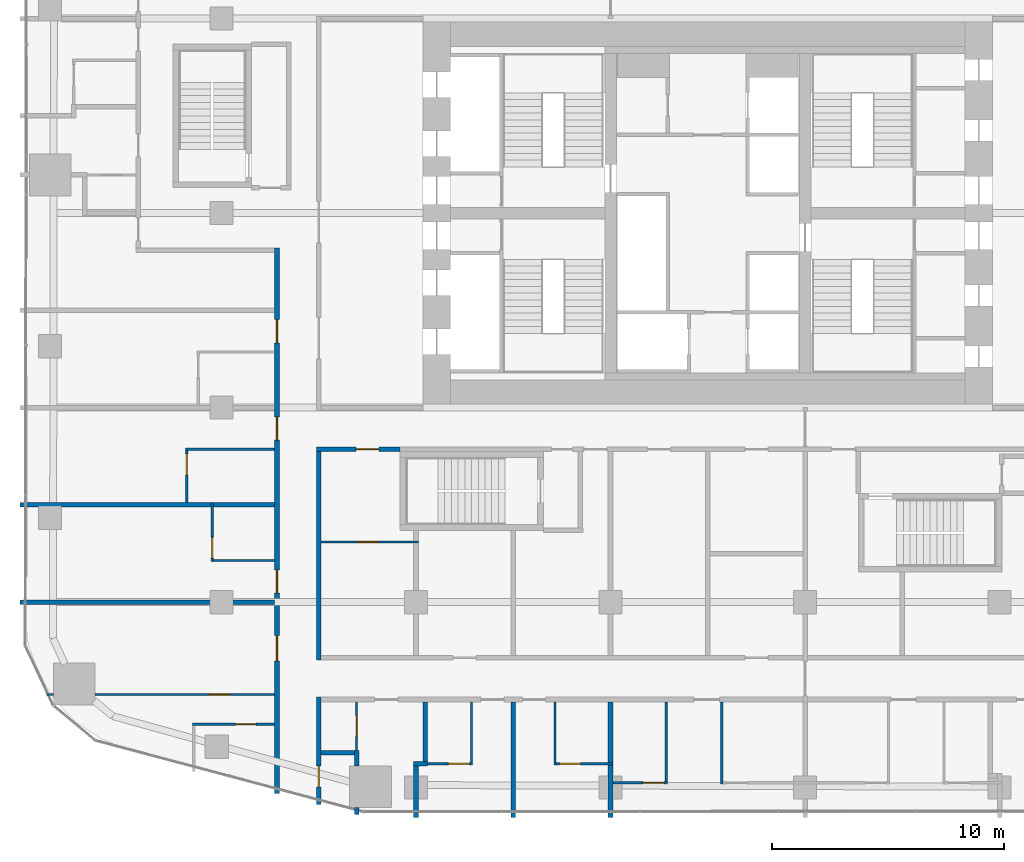
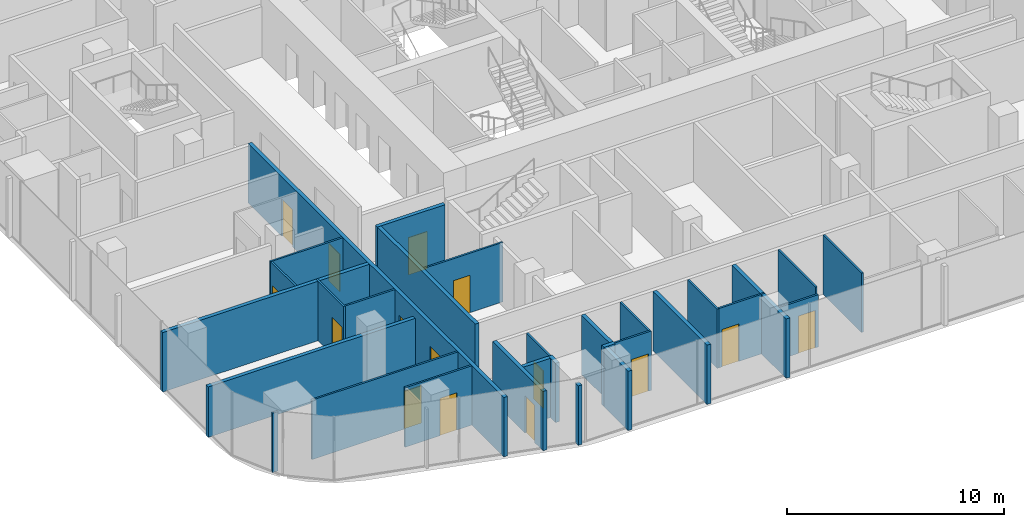
# One storey, part 16 of 26: 30 walls, 15 doors, 15 openings.
"""IFC4 building model written with IfcOpenShell, lengths in metres."""

from ifc_helpers import new_model, si_unit, direction, frame, frame_2d, origin, place, context, subcontext, project, spatial, rectangle, extrude, material, layer, layer_set, type_object, element, fill, save


model = new_model("IFC4")

# Units and contexts
model_context = context("Model", 3, precision=1e-05, world=origin(), true_north=direction((0.0, 1.0)))
body_context = subcontext(model_context, "Body", "Model", "MODEL_VIEW")
ifc_project = project(units=[si_unit("LENGTHUNIT", "METRE"), si_unit("AREAUNIT", "SQUARE_METRE"), si_unit("VOLUMEUNIT", "CUBIC_METRE"), si_unit("PLANEANGLEUNIT", "RADIAN"), si_unit("MASSUNIT", "GRAM", prefix="KILO")], contexts=[model_context])

# Site, building, storey
site_placement = place(None, origin())
site = spatial("IfcSite", under=ifc_project, at=site_placement, CompositionType="ELEMENT")
building_placement = place(site_placement, origin())
building = spatial("IfcBuilding", under=site, at=building_placement, Name="Marenta Gate Hotel Tower", CompositionType="ELEMENT")
storey_placement = place(building_placement, frame((0.0, 0.0, 58.10009765625)))
storey = spatial("IfcBuildingStorey", under=building, at=storey_placement, Name="L12", CompositionType="ELEMENT", Elevation=58.10009765625)

# Wall, opening, door
ifc_material_1 = material(Name="Concrete blockwork", Category="masonry")
ifc_layer_1 = layer(ifc_material_1, 0.199951171875)
ifc_layer_set_1 = layer_set([ifc_layer_1], Name="Concrete blockwork")
wall_type_1 = type_object("IfcWallType", Name="Room corridor wall 200 EI 120", PredefinedType="PARTITIONING", material=ifc_layer_set_1)
wall_1_placement = place(storey_placement, frame((-16.800048828125, -17.14306640625, 0.0), z_axis=(0.0, 0.0, 1.0), x_axis=(0.0, 1.0, 0.0)))
wall_1 = element("IfcWall", 1, at=wall_1_placement, inside=storey, type_object=wall_type_1, Name="L12-PTN-W109", PredefinedType="PARTITIONING", context=body_context, shape_type="SweptSolid", body=[
    extrude(rectangle(XDim=4.64306640625, YDim=0.199951171875, at=frame_2d((2.321533203125, 0.0))), origin(), (0.0, 0.0, 1.0), 3.33984375),
])
opening_1_placement = place(wall_1_placement, frame((0.77197265625, 0.0, 0.0)))
opening_1 = element("IfcOpeningElement", 2, at=opening_1_placement, cuts=wall_1, Name="Opening G04-82", PredefinedType="OPENING", context=body_context, shape_type="SweptSolid", body=[
    extrude(rectangle(XDim=0.89990234375, YDim=2.10009765625, at=frame_2d((0.449951171875, 1.050048828125))), frame((0.0, 0.10009765625, 0.0), z_axis=(0.0, -1.0, 0.0), x_axis=(1.0, 0.0, 0.0)), (0.0, 0.0, 1.0), 0.199951171875),
])
ifc_material_2 = material(Name="Hollow steel door set", Category="steel")
door_type_1 = type_object("IfcDoorType", Name="Room service door 900x2100 EI 60", OperationType="NOTDEFINED", PredefinedType="DOOR", material=ifc_material_2)
door_1_placement = place(opening_1_placement, origin())
door_1 = element("IfcDoor", 3, at=door_1_placement, inside=storey, type_object=door_type_1, Name="L12-PD-D082", OperationType="SINGLE_SWING_LEFT", OverallHeight=2.10009765625, OverallWidth=0.89990234375, PredefinedType="DOOR", context=body_context, shape_type="SweptSolid", body=[
    extrude(rectangle(XDim=0.89990234375, YDim=2.10009765625, at=frame_2d((0.449951171875, 1.050048828125))), frame((0.0, 0.02490234375, 0.0), z_axis=(0.0, -1.0, 0.0), x_axis=(1.0, 0.0, 0.0)), (0.0, 0.0, 1.0), 0.050048828125),
])
fill(opening_1, door_1)

ifc_material_3 = material(Name="Gypsum board on steel stud", Category="steel")
ifc_layer_2 = layer(ifc_material_3, 0.199951171875)
ifc_layer_set_2 = layer_set([ifc_layer_2], Name="Gypsum board on steel stud")
wall_type_2 = type_object("IfcWallType", Name="Room corridor wall 200 EI 60", PredefinedType="PARTITIONING", material=ifc_layer_set_2)
wall_2_placement = place(storey_placement, frame((-16.89990234375, -1.800048828125, 0.0), z_axis=(0.0, 0.0, 1.0), x_axis=(1.0, 0.0, 0.0)))
wall_2 = element("IfcWall", 4, at=wall_2_placement, inside=storey, type_object=wall_type_2, Name="L12-PTN-W063", PredefinedType="PARTITIONING", context=body_context, shape_type="SweptSolid", body=[
    extrude(rectangle(XDim=3.599853515625, YDim=0.199951171875, at=frame_2d((1.7998046875, 0.0))), origin(), (0.0, 0.0, 1.0), 3.33984375),
])
opening_2_placement = place(wall_2_placement, frame((1.699951171875, 0.0, 0.0)))
opening_2 = element("IfcOpeningElement", 5, at=opening_2_placement, cuts=wall_2, Name="Opening G04-05", PredefinedType="OPENING", context=body_context, shape_type="SweptSolid", body=[
    extrude(rectangle(XDim=1.0, YDim=2.10009765625, at=frame_2d((0.5, 1.050048828125))), frame((0.0, 0.10009765625, 0.0), z_axis=(0.0, -1.0, 0.0), x_axis=(1.0, 0.0, 0.0)), (0.0, 0.0, 1.0), 0.199951171875),
])
ifc_material_4 = material(Name="Hollow steel door set", Category="steel")
door_type_2 = type_object("IfcDoorType", Name="Room service door 1000x2100 EI 30", OperationType="NOTDEFINED", PredefinedType="DOOR", material=ifc_material_4)
door_2_placement = place(opening_2_placement, origin())
door_2 = element("IfcDoor", 6, at=door_2_placement, inside=storey, type_object=door_type_2, Name="L12-PD-D005", OperationType="SINGLE_SWING_RIGHT", OverallHeight=2.10009765625, OverallWidth=1.0, PredefinedType="DOOR", context=body_context, shape_type="SweptSolid", body=[
    extrude(rectangle(XDim=1.0, YDim=2.10009765625, at=frame_2d((0.5, 1.050048828125))), frame((0.0, 0.02490234375, 0.0), z_axis=(0.0, -1.0, 0.0), x_axis=(1.0, 0.0, 0.0)), (0.0, 0.0, 1.0), 0.050048828125),
])
fill(opening_2, door_2)

# Wall
wall_3_placement = place(storey_placement, frame((-16.800048828125, -10.89990234375, 0.0), z_axis=(0.0, 0.0, 1.0), x_axis=(0.0, 1.0, 0.0)))
element("IfcWall", 7, at=wall_3_placement, inside=storey, type_object=wall_type_2, Name="L12-PTN-W110", PredefinedType="PARTITIONING", context=body_context, shape_type="SweptSolid", body=[
    extrude(rectangle(XDim=9.0, YDim=0.199951171875, at=frame_2d((4.5, 0.0))), origin(), (0.0, 0.0, 1.0), 3.33984375),
])

# Wall, openings, doors
wall_4_placement = place(storey_placement, frame((-18.60009765625, -16.6650390625, 0.0), z_axis=(0.0, 0.0, 1.0), x_axis=(0.0, 1.0, 0.0)))
wall_4 = element("IfcWall", 8, at=wall_4_placement, inside=storey, type_object=wall_type_2, Name="L12-PTN-W118", PredefinedType="PARTITIONING", context=body_context, shape_type="SweptSolid", body=[
    extrude(rectangle(XDim=23.56494140625, YDim=0.199951171875, at=frame_2d((11.782470703125, 0.0))), origin(), (0.0, 0.0, 1.0), 3.33984375),
])
opening_3_placement = place(wall_4_placement, frame((5.72412109375, 0.0, 0.0)))
opening_3 = element("IfcOpeningElement", 9, at=opening_3_placement, cuts=wall_4, Name="Opening G04-50", PredefinedType="OPENING", context=body_context, shape_type="SweptSolid", body=[
    extrude(rectangle(XDim=1.10009765625, YDim=2.10009765625, at=frame_2d((0.550048828125, 1.050048828125))), frame((0.0, 0.10009765625, 0.0), z_axis=(0.0, -1.0, 0.0), x_axis=(1.0, 0.0, 0.0)), (0.0, 0.0, 1.0), 0.199951171875),
])
opening_4_placement = place(wall_4_placement, frame((8.6650390625, 0.0, 0.0)))
opening_4 = element("IfcOpeningElement", 10, at=opening_4_placement, cuts=wall_4, Name="Opening G04-53", PredefinedType="OPENING", context=body_context, shape_type="SweptSolid", body=[
    extrude(rectangle(XDim=1.0, YDim=2.10009765625, at=frame_2d((0.5, 1.050048828125))), frame((0.0, 0.10009765625, 0.0), z_axis=(0.0, -1.0, 0.0), x_axis=(1.0, 0.0, 0.0)), (0.0, 0.0, 1.0), 0.199951171875),
])
opening_5_placement = place(wall_4_placement, frame((15.264892578125, 0.0, 0.0)))
opening_5 = element("IfcOpeningElement", 11, at=opening_5_placement, cuts=wall_4, Name="Opening G04-55", PredefinedType="OPENING", context=body_context, shape_type="SweptSolid", body=[
    extrude(rectangle(XDim=1.0, YDim=2.10009765625, at=frame_2d((0.5, 1.050048828125))), frame((0.0, 0.10009765625, 0.0), z_axis=(0.0, -1.0, 0.0), x_axis=(1.0, 0.0, 0.0)), (0.0, 0.0, 1.0), 0.199951171875),
])
opening_6_placement = place(wall_4_placement, frame((19.465087890625, 0.0, 0.0)))
opening_6 = element("IfcOpeningElement", 12, at=opening_6_placement, cuts=wall_4, Name="Opening G04-57", PredefinedType="OPENING", context=body_context, shape_type="SweptSolid", body=[
    extrude(rectangle(XDim=1.0, YDim=2.10009765625, at=frame_2d((0.5, 1.050048828125))), frame((0.0, 0.10009765625, 0.0), z_axis=(0.0, -1.0, 0.0), x_axis=(1.0, 0.0, 0.0)), (0.0, 0.0, 1.0), 0.199951171875),
])
ifc_material_5 = material(Name="Timber door leaf", Category="wood")
door_type_3 = type_object("IfcDoorType", Name="Guest room door 1000x2100 EI 30", OperationType="NOTDEFINED", PredefinedType="DOOR", material=ifc_material_5)
door_3_placement = place(opening_4_placement, origin())
door_3 = element("IfcDoor", 13, at=door_3_placement, inside=storey, type_object=door_type_3, Name="L12-PD-D053", OperationType="SINGLE_SWING_RIGHT", OverallHeight=2.10009765625, OverallWidth=1.0, PredefinedType="DOOR", context=body_context, shape_type="SweptSolid", body=[
    extrude(rectangle(XDim=1.0, YDim=2.10009765625, at=frame_2d((0.5, 1.050048828125))), frame((0.0, 0.02490234375, 0.0), z_axis=(0.0, -1.0, 0.0), x_axis=(1.0, 0.0, 0.0)), (0.0, 0.0, 1.0), 0.050048828125),
])
fill(opening_4, door_3)
door_4_placement = place(opening_5_placement, origin())
door_4 = element("IfcDoor", 14, at=door_4_placement, inside=storey, type_object=door_type_3, Name="L12-PD-D055", OperationType="SINGLE_SWING_RIGHT", OverallHeight=2.10009765625, OverallWidth=1.0, PredefinedType="DOOR", context=body_context, shape_type="SweptSolid", body=[
    extrude(rectangle(XDim=1.0, YDim=2.10009765625, at=frame_2d((0.5, 1.050048828125))), frame((0.0, 0.02490234375, 0.0), z_axis=(0.0, -1.0, 0.0), x_axis=(1.0, 0.0, 0.0)), (0.0, 0.0, 1.0), 0.050048828125),
])
fill(opening_5, door_4)
door_5_placement = place(opening_6_placement, origin())
door_5 = element("IfcDoor", 15, at=door_5_placement, inside=storey, type_object=door_type_3, Name="L12-PD-D057", OperationType="SINGLE_SWING_RIGHT", OverallHeight=2.10009765625, OverallWidth=1.0, PredefinedType="DOOR", context=body_context, shape_type="SweptSolid", body=[
    extrude(rectangle(XDim=1.0, YDim=2.10009765625, at=frame_2d((0.5, 1.050048828125))), frame((0.0, 0.02490234375, 0.0), z_axis=(0.0, -1.0, 0.0), x_axis=(1.0, 0.0, 0.0)), (0.0, 0.0, 1.0), 0.050048828125),
])
fill(opening_6, door_5)
ifc_material_6 = material(Name="Timber door leaf", Category="wood")
door_type_4 = type_object("IfcDoorType", Name="Guest room door 1100x2100 EI 30", OperationType="NOTDEFINED", PredefinedType="DOOR", material=ifc_material_6)
door_6_placement = place(opening_3_placement, origin())
door_6 = element("IfcDoor", 16, at=door_6_placement, inside=storey, type_object=door_type_4, Name="L12-PD-D050", OperationType="SINGLE_SWING_RIGHT", OverallHeight=2.10009765625, OverallWidth=1.10009765625, PredefinedType="DOOR", context=body_context, shape_type="SweptSolid", body=[
    extrude(rectangle(XDim=1.10009765625, YDim=2.10009765625, at=frame_2d((0.550048828125, 1.050048828125))), frame((0.0, 0.02490234375, 0.0), z_axis=(0.0, -1.0, 0.0), x_axis=(1.0, 0.0, 0.0)), (0.0, 0.0, 1.0), 0.050048828125),
])
fill(opening_3, door_6)

# Wall, opening, door
ifc_material_7 = material(Name="Gypsum board on steel stud", Category="steel")
ifc_layer_3 = layer(ifc_material_7, 0.10009765625)
ifc_layer_set_3 = layer_set([ifc_layer_3], Name="Gypsum board on steel stud")
wall_type_3 = type_object("IfcWallType", Name="Room partition 100", PredefinedType="PARTITIONING", material=ifc_layer_set_3)
wall_5_placement = place(storey_placement, frame((-4.10009765625, -16.199951171875, 0.0), z_axis=(0.0, 0.0, 1.0), x_axis=(1.0, 0.0, 0.0)))
wall_5 = element("IfcWall", 17, at=wall_5_placement, inside=storey, type_object=wall_type_3, Name="L12-PTN-W014", PredefinedType="PARTITIONING", context=body_context, shape_type="SweptSolid", body=[
    extrude(rectangle(XDim=2.35009765625, YDim=0.10009765625, at=frame_2d((1.175048828125, 0.0))), origin(), (0.0, 0.0, 1.0), 2.93994140625),
])
opening_7_placement = place(wall_5_placement, frame((1.300048828125, 0.0, 0.0)))
opening_7 = element("IfcOpeningElement", 18, at=opening_7_placement, cuts=wall_5, Name="Opening G04-46", PredefinedType="OPENING", context=body_context, shape_type="SweptSolid", body=[
    extrude(rectangle(XDim=0.89990234375, YDim=2.10009765625, at=frame_2d((0.449951171875, 1.050048828125))), frame((0.0, 0.050048828125, 0.0), z_axis=(0.0, -1.0, 0.0), x_axis=(1.0, 0.0, 0.0)), (0.0, 0.0, 1.0), 0.10009765625),
])
ifc_material_8 = material(Name="Timber door leaf", Category="wood")
door_type_5 = type_object("IfcDoorType", Name="Room inner door 900x2100", OperationType="NOTDEFINED", PredefinedType="DOOR", material=ifc_material_8)
door_7_placement = place(opening_7_placement, origin())
door_7 = element("IfcDoor", 19, at=door_7_placement, inside=storey, type_object=door_type_5, Name="L12-PD-D046", OperationType="SINGLE_SWING_RIGHT", OverallHeight=2.10009765625, OverallWidth=0.89990234375, PredefinedType="DOOR", context=body_context, shape_type="SweptSolid", body=[
    extrude(rectangle(XDim=0.89990234375, YDim=2.10009765625, at=frame_2d((0.449951171875, 1.050048828125))), frame((0.0, 0.02490234375, 0.0), z_axis=(0.0, -1.0, 0.0), x_axis=(1.0, 0.0, 0.0)), (0.0, 0.0, 1.0), 0.050048828125),
])
fill(opening_7, door_7)

wall_6_placement = place(storey_placement, frame((-12.10009765625, -15.375, 0.0), z_axis=(0.0, 0.0, 1.0), x_axis=(1.0, 0.0, 0.0)))
wall_6 = element("IfcWall", 20, at=wall_6_placement, inside=storey, type_object=wall_type_3, Name="L12-PTN-W019", PredefinedType="PARTITIONING", context=body_context, shape_type="SweptSolid", body=[
    extrude(rectangle(XDim=1.9501953125, YDim=0.10009765625, at=frame_2d((0.97509765625, 0.0))), origin(), (0.0, 0.0, 1.0), 3.33984375),
])
opening_8_placement = place(wall_6_placement, frame((0.89990234375, 0.0, 0.0)))
opening_8 = element("IfcOpeningElement", 21, at=opening_8_placement, cuts=wall_6, Name="Opening G04-41", PredefinedType="OPENING", context=body_context, shape_type="SweptSolid", body=[
    extrude(rectangle(XDim=0.89990234375, YDim=2.10009765625, at=frame_2d((0.449951171875, 1.050048828125))), frame((0.0, 0.050048828125, 0.0), z_axis=(0.0, -1.0, 0.0), x_axis=(1.0, 0.0, 0.0)), (0.0, 0.0, 1.0), 0.10009765625),
])
ifc_material_9 = material(Name="Timber door leaf", Category="wood")
door_type_6 = type_object("IfcDoorType", Name="Guest bathroom door 900x2100", OperationType="NOTDEFINED", PredefinedType="DOOR", material=ifc_material_9)
door_8_placement = place(opening_8_placement, origin())
door_8 = element("IfcDoor", 22, at=door_8_placement, inside=storey, type_object=door_type_6, Name="L12-PD-D041", OperationType="SINGLE_SWING_RIGHT", OverallHeight=2.10009765625, OverallWidth=0.89990234375, PredefinedType="DOOR", context=body_context, shape_type="SweptSolid", body=[
    extrude(rectangle(XDim=0.89990234375, YDim=2.10009765625, at=frame_2d((0.449951171875, 1.050048828125))), frame((0.0, 0.02490234375, 0.0), z_axis=(0.0, -1.0, 0.0), x_axis=(1.0, 0.0, 0.0)), (0.0, 0.0, 1.0), 0.050048828125),
])
fill(opening_8, door_8)

wall_7_placement = place(storey_placement, frame((-6.550048828125, -15.375, 0.0), z_axis=(0.0, 0.0, 1.0), x_axis=(1.0, 0.0, 0.0)))
wall_7 = element("IfcWall", 23, at=wall_7_placement, inside=storey, type_object=wall_type_3, Name="L12-PTN-W020", PredefinedType="PARTITIONING", context=body_context, shape_type="SweptSolid", body=[
    extrude(rectangle(XDim=2.449951171875, YDim=0.10009765625, at=frame_2d((1.22509765625, 0.0))), origin(), (0.0, 0.0, 1.0), 3.33984375),
])
opening_9_placement = place(wall_7_placement, frame((0.14990234375, 0.0, 0.0)))
opening_9 = element("IfcOpeningElement", 24, at=opening_9_placement, cuts=wall_7, Name="Opening G04-43", PredefinedType="OPENING", context=body_context, shape_type="SweptSolid", body=[
    extrude(rectangle(XDim=0.89990234375, YDim=2.10009765625, at=frame_2d((0.449951171875, 1.050048828125))), frame((0.0, 0.050048828125, 0.0), z_axis=(0.0, -1.0, 0.0), x_axis=(1.0, 0.0, 0.0)), (0.0, 0.0, 1.0), 0.10009765625),
])
door_9_placement = place(opening_9_placement, origin())
door_9 = element("IfcDoor", 25, at=door_9_placement, inside=storey, type_object=door_type_6, Name="L12-PD-D043", OperationType="SINGLE_SWING_LEFT", OverallHeight=2.10009765625, OverallWidth=0.89990234375, PredefinedType="DOOR", context=body_context, shape_type="SweptSolid", body=[
    extrude(rectangle(XDim=0.89990234375, YDim=2.10009765625, at=frame_2d((0.449951171875, 1.050048828125))), frame((0.0, 0.02490234375, 0.0), z_axis=(0.0, -1.0, 0.0), x_axis=(1.0, 0.0, 0.0)), (0.0, 0.0, 1.0), 0.050048828125),
])
fill(opening_9, door_9)

wall_8_placement = place(storey_placement, frame((-22.25, -13.6650390625, 0.0), z_axis=(0.0, 0.0, 1.0), x_axis=(1.0, 0.0, 0.0)))
wall_8 = element("IfcWall", 26, at=wall_8_placement, inside=storey, type_object=wall_type_3, Name="L12-PTN-W027", PredefinedType="PARTITIONING", context=body_context, shape_type="SweptSolid", body=[
    extrude(rectangle(XDim=3.550048828125, YDim=0.10009765625, at=frame_2d((1.77490234375, 0.0))), origin(), (0.0, 0.0, 1.0), 3.33984375),
])
opening_10_placement = place(wall_8_placement, frame((1.85009765625, 0.0, 0.0)))
opening_10 = element("IfcOpeningElement", 27, at=opening_10_placement, cuts=wall_8, Name="Opening G04-52", PredefinedType="OPENING", context=body_context, shape_type="SweptSolid", body=[
    extrude(rectangle(XDim=0.89990234375, YDim=2.10009765625, at=frame_2d((0.449951171875, 1.050048828125))), frame((0.0, 0.050048828125, 0.0), z_axis=(0.0, -1.0, 0.0), x_axis=(1.0, 0.0, 0.0)), (0.0, 0.0, 1.0), 0.10009765625),
])
door_10_placement = place(opening_10_placement, origin())
door_10 = element("IfcDoor", 28, at=door_10_placement, inside=storey, type_object=door_type_6, Name="L12-PD-D052", OperationType="SINGLE_SWING_RIGHT", OverallHeight=2.10009765625, OverallWidth=0.89990234375, PredefinedType="DOOR", context=body_context, shape_type="SweptSolid", body=[
    extrude(rectangle(XDim=0.89990234375, YDim=2.10009765625, at=frame_2d((0.449951171875, 1.050048828125))), frame((0.0, 0.02490234375, 0.0), z_axis=(0.0, -1.0, 0.0), x_axis=(1.0, 0.0, 0.0)), (0.0, 0.0, 1.0), 0.050048828125),
])
fill(opening_10, door_10)

# Wall
wall_9_placement = place(storey_placement, frame((-28.552978515625, -12.383056640625, 0.0), z_axis=(0.0, 0.0, 1.0), x_axis=(1.0, 0.0, 0.0)))
element("IfcWall", 29, at=wall_9_placement, inside=storey, type_object=wall_type_3, Name="L12-PTN-W031", PredefinedType="PARTITIONING", context=body_context, shape_type="SweptSolid", body=[
    extrude(rectangle(XDim=0.2900390625, YDim=0.10009765625, at=frame_2d((0.14501953125, 0.0))), origin(), (0.0, 0.0, 1.0), 3.33984375),
])

# Wall, opening, door
wall_10_placement = place(storey_placement, frame((-26.462890625, -12.383056640625, 0.0), z_axis=(0.0, 0.0, 1.0), x_axis=(1.0, 0.0, 0.0)))
wall_10 = element("IfcWall", 30, at=wall_10_placement, inside=storey, type_object=wall_type_3, Name="L12-PTN-W157", PredefinedType="PARTITIONING", context=body_context, shape_type="SweptSolid", body=[
    extrude(rectangle(XDim=7.762939453125, YDim=0.10009765625, at=frame_2d((3.88134765625, 0.0))), origin(), (0.0, 0.0, 1.0), 3.33984375),
])
opening_11_placement = place(wall_10_placement, frame((4.93310546875, 0.0, 0.0)))
opening_11 = element("IfcOpeningElement", 31, at=opening_11_placement, cuts=wall_10, Name="Opening G04-51", PredefinedType="OPENING", context=body_context, shape_type="SweptSolid", body=[
    extrude(rectangle(XDim=0.89990234375, YDim=2.10009765625, at=frame_2d((0.449951171875, 1.050048828125))), frame((0.0, 0.050048828125, 0.0), z_axis=(0.0, -1.0, 0.0), x_axis=(1.0, 0.0, 0.0)), (0.0, 0.0, 1.0), 0.10009765625),
])
door_11_placement = place(opening_11_placement, origin())
door_11 = element("IfcDoor", 32, at=door_11_placement, inside=storey, type_object=door_type_5, Name="L12-PD-D051", OperationType="SINGLE_SWING_LEFT", OverallHeight=2.10009765625, OverallWidth=0.89990234375, PredefinedType="DOOR", context=body_context, shape_type="SweptSolid", body=[
    extrude(rectangle(XDim=0.89990234375, YDim=2.10009765625, at=frame_2d((0.449951171875, 1.050048828125))), frame((0.0, 0.02490234375, 0.0), z_axis=(0.0, -1.0, 0.0), x_axis=(1.0, 0.0, 0.0)), (0.0, 0.0, 1.0), 0.050048828125),
])
fill(opening_11, door_11)

# Wall
wall_11_placement = place(storey_placement, frame((-21.35009765625, -6.60009765625, 0.0), z_axis=(0.0, 0.0, 1.0), x_axis=(1.0, 0.0, 0.0)))
element("IfcWall", 33, at=wall_11_placement, inside=storey, type_object=wall_type_3, Name="L12-PTN-W045", PredefinedType="PARTITIONING", context=body_context, shape_type="SweptSolid", body=[
    extrude(rectangle(XDim=2.650146484375, YDim=0.10009765625, at=frame_2d((1.3251953125, 0.0))), origin(), (0.0, 0.0, 1.0), 3.33984375),
])

# Wall, opening, door
wall_12_placement = place(storey_placement, frame((-16.699951171875, -5.800048828125, 0.0), z_axis=(0.0, 0.0, 1.0), x_axis=(1.0, 0.0, 0.0)))
wall_12 = element("IfcWall", 34, at=wall_12_placement, inside=storey, type_object=wall_type_3, Name="L12-PTN-W050", PredefinedType="PARTITIONING", context=body_context, shape_type="SweptSolid", body=[
    extrude(rectangle(XDim=4.199951171875, YDim=0.10009765625, at=frame_2d((2.10009765625, 0.0))), origin(), (0.0, 0.0, 1.0), 3.33984375),
])
opening_12_placement = place(wall_12_placement, frame((1.550048828125, 0.0, 0.0)))
opening_12 = element("IfcOpeningElement", 35, at=opening_12_placement, cuts=wall_12, Name="Opening G04-06", PredefinedType="OPENING", context=body_context, shape_type="SweptSolid", body=[
    extrude(rectangle(XDim=0.89990234375, YDim=2.10009765625, at=frame_2d((0.449951171875, 1.050048828125))), frame((0.0, 0.050048828125, 0.0), z_axis=(0.0, -1.0, 0.0), x_axis=(1.0, 0.0, 0.0)), (0.0, 0.0, 1.0), 0.10009765625),
])
door_12_placement = place(opening_12_placement, origin())
door_12 = element("IfcDoor", 36, at=door_12_placement, inside=storey, type_object=door_type_5, Name="L12-PD-D006", OperationType="SINGLE_SWING_RIGHT", OverallHeight=2.10009765625, OverallWidth=0.89990234375, PredefinedType="DOOR", context=body_context, shape_type="SweptSolid", body=[
    extrude(rectangle(XDim=0.89990234375, YDim=2.10009765625, at=frame_2d((0.449951171875, 1.050048828125))), frame((0.0, 0.02490234375, 0.0), z_axis=(0.0, -1.0, 0.0), x_axis=(1.0, 0.0, 0.0)), (0.0, 0.0, 1.0), 0.050048828125),
])
fill(opening_12, door_12)

# Walls
wall_13_placement = place(storey_placement, frame((-22.550048828125, -1.800048828125, 0.0), z_axis=(0.0, 0.0, 1.0), x_axis=(1.0, 0.0, 0.0)))
element("IfcWall", 37, at=wall_13_placement, inside=storey, type_object=wall_type_3, Name="L12-PTN-W061", PredefinedType="PARTITIONING", context=body_context, shape_type="SweptSolid", body=[
    extrude(rectangle(XDim=3.85009765625, YDim=0.10009765625, at=frame_2d((1.925048828125, 0.0))), origin(), (0.0, 0.0, 1.0), 3.33984375),
])
wall_14_placement = place(storey_placement, frame((0.60009765625, -16.25, 0.0), z_axis=(0.0, 0.0, 1.0), x_axis=(0.0, 1.0, 0.0)))
element("IfcWall", 38, at=wall_14_placement, inside=storey, type_object=wall_type_3, Name="L12-PTN-W067", PredefinedType="PARTITIONING", context=body_context, shape_type="SweptSolid", body=[
    extrude(rectangle(XDim=3.550048828125, YDim=0.10009765625, at=frame_2d((1.77490234375, 0.0))), origin(), (0.0, 0.0, 1.0), 3.33984375),
])
wall_15_placement = place(storey_placement, frame((-1.800048828125, -16.14990234375, 0.0), z_axis=(0.0, 0.0, 1.0), x_axis=(0.0, 1.0, 0.0)))
element("IfcWall", 39, at=wall_15_placement, inside=storey, type_object=wall_type_3, Name="L12-PTN-W072", PredefinedType="PARTITIONING", context=body_context, shape_type="SweptSolid", body=[
    extrude(rectangle(XDim=3.449951171875, YDim=0.10009765625, at=frame_2d((1.72509765625, 0.0))), origin(), (0.0, 0.0, 1.0), 3.33984375),
])
wall_16_placement = place(storey_placement, frame((-6.60009765625, -15.425048828125, 0.0), z_axis=(0.0, 0.0, 1.0), x_axis=(0.0, 1.0, 0.0)))
element("IfcWall", 40, at=wall_16_placement, inside=storey, type_object=wall_type_3, Name="L12-PTN-W084", PredefinedType="PARTITIONING", context=body_context, shape_type="SweptSolid", body=[
    extrude(rectangle(XDim=2.72509765625, YDim=0.10009765625, at=frame_2d((1.362548828125, 0.0))), origin(), (0.0, 0.0, 1.0), 3.33984375),
])
wall_17_placement = place(storey_placement, frame((-10.199951171875, -15.324951171875, 0.0), z_axis=(0.0, 0.0, 1.0), x_axis=(0.0, 1.0, 0.0)))
element("IfcWall", 41, at=wall_17_placement, inside=storey, type_object=wall_type_3, Name="L12-PTN-W095", PredefinedType="PARTITIONING", context=body_context, shape_type="SweptSolid", body=[
    extrude(rectangle(XDim=2.625, YDim=0.10009765625, at=frame_2d((1.3125, 0.0))), origin(), (0.0, 0.0, 1.0), 3.33984375),
])

# Wall, opening, door
wall_18_placement = place(storey_placement, frame((-15.166015625, -15.0, 0.0), z_axis=(0.0, 0.0, 1.0), x_axis=(0.0, 1.0, 0.0)))
wall_18 = element("IfcWall", 42, at=wall_18_placement, inside=storey, type_object=wall_type_3, Name="L12-PTN-W107", PredefinedType="PARTITIONING", context=body_context, shape_type="SweptSolid", body=[
    extrude(rectangle(XDim=2.300048828125, YDim=0.10009765625, at=frame_2d((1.14990234375, 0.0))), origin(), (0.0, 0.0, 1.0), 3.33984375),
])
opening_13_placement = place(wall_18_placement, frame((0.800048828125, 0.0, 0.0)))
opening_13 = element("IfcOpeningElement", 43, at=opening_13_placement, cuts=wall_18, Name="Opening G04-81", PredefinedType="OPENING", context=body_context, shape_type="SweptSolid", body=[
    extrude(rectangle(XDim=0.89990234375, YDim=2.10009765625, at=frame_2d((0.449951171875, 1.050048828125))), frame((0.0, 0.050048828125, 0.0), z_axis=(0.0, -1.0, 0.0), x_axis=(1.0, 0.0, 0.0)), (0.0, 0.0, 1.0), 0.10009765625),
])
door_13_placement = place(opening_13_placement, origin())
door_13 = element("IfcDoor", 44, at=door_13_placement, inside=storey, type_object=door_type_6, Name="L12-PD-D081", OperationType="SINGLE_SWING_RIGHT", OverallHeight=2.10009765625, OverallWidth=0.89990234375, PredefinedType="DOOR", context=body_context, shape_type="SweptSolid", body=[
    extrude(rectangle(XDim=0.89990234375, YDim=2.10009765625, at=frame_2d((0.449951171875, 1.050048828125))), frame((0.0, 0.02490234375, 0.0), z_axis=(0.0, -1.0, 0.0), x_axis=(1.0, 0.0, 0.0)), (0.0, 0.0, 1.0), 0.050048828125),
])
fill(opening_13, door_13)

wall_19_placement = place(storey_placement, frame((-21.39990234375, -6.64990234375, 0.0), z_axis=(0.0, 0.0, 1.0), x_axis=(0.0, 1.0, 0.0)))
wall_19 = element("IfcWall", 45, at=wall_19_placement, inside=storey, type_object=wall_type_3, Name="L12-PTN-W124", PredefinedType="PARTITIONING", context=body_context, shape_type="SweptSolid", body=[
    extrude(rectangle(XDim=2.5498046875, YDim=0.10009765625, at=frame_2d((1.27490234375, 0.0))), origin(), (0.0, 0.0, 1.0), 3.33984375),
])
opening_14_placement = place(wall_19_placement, frame((0.14990234375, 0.0, 0.0)))
opening_14 = element("IfcOpeningElement", 46, at=opening_14_placement, cuts=wall_19, Name="Opening G04-54", PredefinedType="OPENING", context=body_context, shape_type="SweptSolid", body=[
    extrude(rectangle(XDim=0.89990234375, YDim=2.10009765625, at=frame_2d((0.449951171875, 1.050048828125))), frame((0.0, 0.050048828125, 0.0), z_axis=(0.0, -1.0, 0.0), x_axis=(1.0, 0.0, 0.0)), (0.0, 0.0, 1.0), 0.10009765625),
])
door_14_placement = place(opening_14_placement, origin())
door_14 = element("IfcDoor", 47, at=door_14_placement, inside=storey, type_object=door_type_6, Name="L12-PD-D054", OperationType="SINGLE_SWING_RIGHT", OverallHeight=2.10009765625, OverallWidth=0.89990234375, PredefinedType="DOOR", context=body_context, shape_type="SweptSolid", body=[
    extrude(rectangle(XDim=0.89990234375, YDim=2.10009765625, at=frame_2d((0.449951171875, 1.050048828125))), frame((0.0, 0.02490234375, 0.0), z_axis=(0.0, -1.0, 0.0), x_axis=(1.0, 0.0, 0.0)), (0.0, 0.0, 1.0), 0.050048828125),
])
fill(opening_14, door_14)

wall_20_placement = place(storey_placement, frame((-22.5, -4.10009765625, 0.0), z_axis=(0.0, 0.0, 1.0), x_axis=(0.0, 1.0, 0.0)))
wall_20 = element("IfcWall", 48, at=wall_20_placement, inside=storey, type_object=wall_type_3, Name="L12-PTN-W131", PredefinedType="PARTITIONING", context=body_context, shape_type="SweptSolid", body=[
    extrude(rectangle(XDim=2.25, YDim=0.10009765625, at=frame_2d((1.125, 0.0))), origin(), (0.0, 0.0, 1.0), 3.33984375),
])
opening_15_placement = place(wall_20_placement, frame((1.199951171875, 0.0, 0.0)))
opening_15 = element("IfcOpeningElement", 49, at=opening_15_placement, cuts=wall_20, Name="Opening G04-56", PredefinedType="OPENING", context=body_context, shape_type="SweptSolid", body=[
    extrude(rectangle(XDim=0.89990234375, YDim=2.10009765625, at=frame_2d((0.449951171875, 1.050048828125))), frame((0.0, 0.050048828125, 0.0), z_axis=(0.0, -1.0, 0.0), x_axis=(1.0, 0.0, 0.0)), (0.0, 0.0, 1.0), 0.10009765625),
])
door_15_placement = place(opening_15_placement, origin())
door_15 = element("IfcDoor", 50, at=door_15_placement, inside=storey, type_object=door_type_6, Name="L12-PD-D056", OperationType="SINGLE_SWING_LEFT", OverallHeight=2.10009765625, OverallWidth=0.89990234375, PredefinedType="DOOR", context=body_context, shape_type="SweptSolid", body=[
    extrude(rectangle(XDim=0.89990234375, YDim=2.10009765625, at=frame_2d((0.449951171875, 1.050048828125))), frame((0.0, 0.02490234375, 0.0), z_axis=(0.0, -1.0, 0.0), x_axis=(1.0, 0.0, 0.0)), (0.0, 0.0, 1.0), 0.050048828125),
])
fill(opening_15, door_15)

# Walls
ifc_material_10 = material(Name="Concrete blockwork", Category="masonry")
ifc_layer_4 = layer(ifc_material_10, 0.199951171875)
ifc_layer_set_4 = layer_set([ifc_layer_4], Name="Concrete blockwork")
wall_type_4 = type_object("IfcWallType", Name="Room party wall 200 EI 120", PredefinedType="PARTITIONING", material=ifc_layer_set_4)
wall_21_placement = place(storey_placement, frame((-16.699951171875, -14.89990234375, 0.0), z_axis=(0.0, 0.0, 1.0), x_axis=(1.0, 0.0, 0.0)))
element("IfcWall", 51, at=wall_21_placement, inside=storey, type_object=wall_type_4, Name="L12-PTN-W023", PredefinedType="PARTITIONING", context=body_context, shape_type="SweptSolid", body=[
    extrude(rectangle(XDim=1.48388671875, YDim=0.199951171875, at=frame_2d((0.741943359375, 0.0))), origin(), (0.0, 0.0, 1.0), 3.33984375),
])
wall_22_placement = place(storey_placement, frame((-15.166015625, -17.572998046875, 0.0), z_axis=(0.0, 0.0, 1.0), x_axis=(0.0, 1.0, 0.0)))
element("IfcWall", 52, at=wall_22_placement, inside=storey, type_object=wall_type_4, Name="L12-PTN-W106", PredefinedType="PARTITIONING", context=body_context, shape_type="SweptSolid", body=[
    extrude(rectangle(XDim=0.298095703125, YDim=0.199951171875, at=frame_2d((0.14892578125, 0.0))), origin(), (0.0, 0.0, 1.0), 3.33984375),
])
wall_23_placement = place(storey_placement, frame((-15.166015625, -15.47509765625, 0.0), z_axis=(0.0, 0.0, 1.0), x_axis=(0.0, 1.0, 0.0)))
element("IfcWall", 53, at=wall_23_placement, inside=storey, type_object=wall_type_4, Name="L12-PTN-W160", PredefinedType="PARTITIONING", context=body_context, shape_type="SweptSolid", body=[
    extrude(rectangle(XDim=0.675048828125, YDim=0.199951171875, at=frame_2d((0.33740234375, 0.0))), origin(), (0.0, 0.0, 1.0), 3.33984375),
])
ifc_material_11 = material(Name="Gypsum board on steel stud", Category="steel")
ifc_layer_5 = layer(ifc_material_11, 0.199951171875)
ifc_layer_set_5 = layer_set([ifc_layer_5], Name="Gypsum board on steel stud")
wall_type_5 = type_object("IfcWallType", Name="Room party wall 200 EI 60", PredefinedType="PARTITIONING", material=ifc_layer_set_5)
wall_24_placement = place(storey_placement, frame((-12.699951171875, -15.375, 0.0), z_axis=(0.0, 0.0, 1.0), x_axis=(1.0, 0.0, 0.0)))
element("IfcWall", 54, at=wall_24_placement, inside=storey, type_object=wall_type_5, Name="L12-PTN-W018", PredefinedType="PARTITIONING", context=body_context, shape_type="SweptSolid", body=[
    extrude(rectangle(XDim=0.599853515625, YDim=0.199951171875, at=frame_2d((0.2998046875, 0.0))), origin(), (0.0, 0.0, 1.0), 3.33984375),
])
wall_25_placement = place(storey_placement, frame((-29.699951171875, -8.39990234375, 0.0), z_axis=(0.0, 0.0, 1.0), x_axis=(1.0, 0.0, 0.0)))
element("IfcWall", 55, at=wall_25_placement, inside=storey, type_object=wall_type_5, Name="L12-PTN-W039", PredefinedType="PARTITIONING", context=body_context, shape_type="SweptSolid", body=[
    extrude(rectangle(XDim=11.0, YDim=0.199951171875, at=frame_2d((5.5, 0.0))), origin(), (0.0, 0.0, 1.0), 2.83984375),
])
wall_26_placement = place(storey_placement, frame((-29.699951171875, -4.199951171875, 0.0), z_axis=(0.0, 0.0, 1.0), x_axis=(1.0, 0.0, 0.0)))
element("IfcWall", 56, at=wall_26_placement, inside=storey, type_object=wall_type_5, Name="L12-PTN-W056", PredefinedType="PARTITIONING", context=body_context, shape_type="SweptSolid", body=[
    extrude(rectangle(XDim=11.0, YDim=0.199951171875, at=frame_2d((5.5, 0.0))), origin(), (0.0, 0.0, 1.0), 3.33984375),
])
for number, where, z_axis, x_axis, name in (
    (57, (-4.199951171875, -17.699951171875, 0.0), (0.0, 0.0, 1.0), (0.0, 1.0, 0.0), "L12-PTN-W075"),
    (58, (-8.39990234375, -17.699951171875, 0.0), (0.0, 0.0, 1.0), (0.0, 1.0, 0.0), "L12-PTN-W086"),
):
    element("IfcWall", number, at=place(storey_placement, frame(where, z_axis=z_axis, x_axis=x_axis)), inside=storey, type_object=wall_type_5, Name=name, PredefinedType="PARTITIONING", context=body_context, shape_type="SweptSolid", body=[
        extrude(rectangle(XDim=5.0, YDim=0.199951171875, at=frame_2d((2.5, 0.0))), origin(), (0.0, 0.0, 1.0), 3.33984375),
    ])
wall_27_placement = place(storey_placement, frame((-12.199951171875, -15.27490234375, 0.0), z_axis=(0.0, 0.0, 1.0), x_axis=(0.0, 1.0, 0.0)))
element("IfcWall", 59, at=wall_27_placement, inside=storey, type_object=wall_type_5, Name="L12-PTN-W097", PredefinedType="PARTITIONING", context=body_context, shape_type="SweptSolid", body=[
    extrude(rectangle(XDim=2.574951171875, YDim=0.199951171875, at=frame_2d((1.28759765625, 0.0))), origin(), (0.0, 0.0, 1.0), 3.33984375),
])
wall_28_placement = place(storey_placement, frame((-12.60009765625, -17.699951171875, 0.0), z_axis=(0.0, 0.0, 1.0), x_axis=(0.0, 1.0, 0.0)))
element("IfcWall", 60, at=wall_28_placement, inside=storey, type_object=wall_type_5, Name="L12-PTN-W098", PredefinedType="PARTITIONING", context=body_context, shape_type="SweptSolid", body=[
    extrude(rectangle(XDim=2.224853515625, YDim=0.199951171875, at=frame_2d((1.1123046875, 0.0))), origin(), (0.0, 0.0, 1.0), 3.33984375),
])

save(model, "model.ifc")
